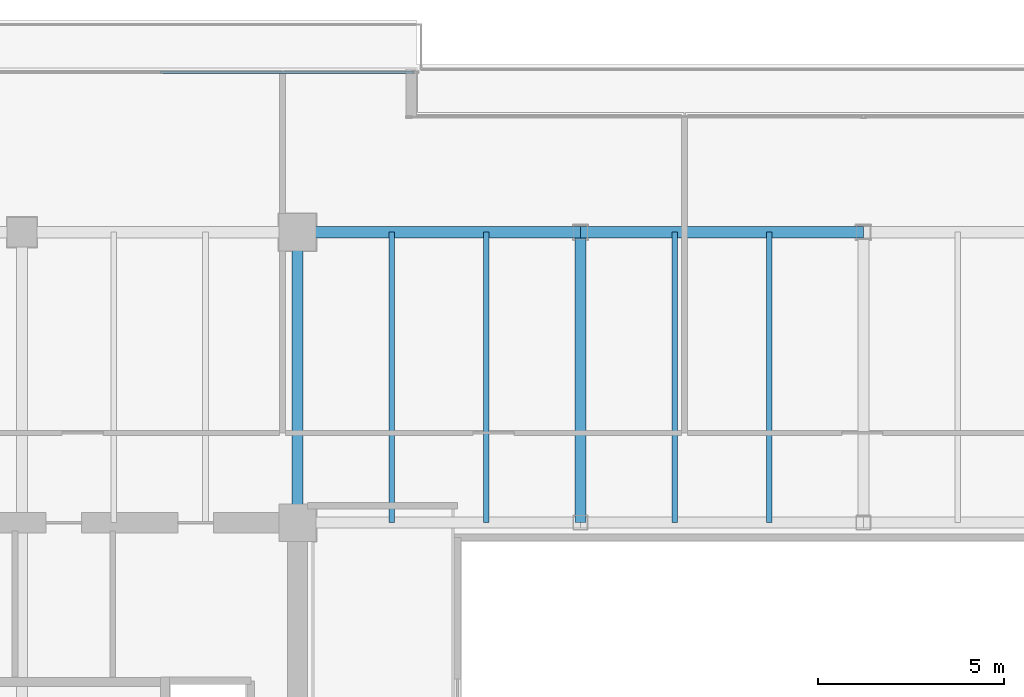
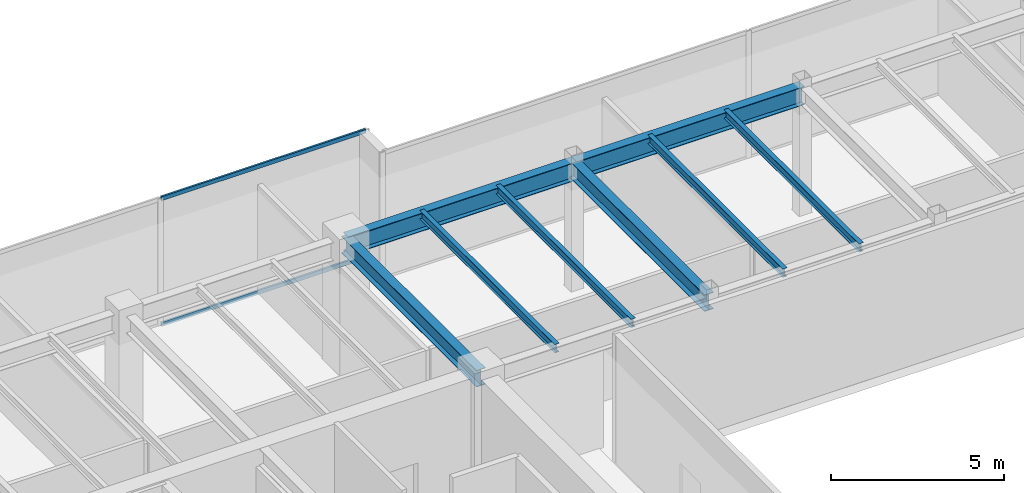
# One storey, part 16 of 37: 8 beams, 2 members, 1 element without a shape of its own.
"""IFC4 building model written with IfcOpenShell, lengths in metres."""

from ifc_helpers import new_model, si_unit, direction, frame, origin, origin_2d, place, context, subcontext, project, spatial, hollow_rectangle, i_section, extrude, source, transform, mapped, material, layer, layer_set, material_profile, profile_set, type_object, type_shapes, element, aggregate, save


model = new_model("IFC4")

# Units and contexts
model_context = context("Model", 3, precision=1e-05, world=origin(), true_north=direction((0.0, 1.0)))
body_context = subcontext(model_context, "Body", "Model", "MODEL_VIEW")
ifc_project = project(units=[si_unit("LENGTHUNIT", "METRE"), si_unit("AREAUNIT", "SQUARE_METRE"), si_unit("VOLUMEUNIT", "CUBIC_METRE"), si_unit("PLANEANGLEUNIT", "RADIAN"), si_unit("MASSUNIT", "GRAM", prefix="KILO")], contexts=[model_context])

# Site, building, storey
site_placement = place(None, origin())
site = spatial("IfcSite", under=ifc_project, at=site_placement, CompositionType="ELEMENT")
building_placement = place(site_placement, origin())
building = spatial("IfcBuilding", under=site, at=building_placement, Name="Haelvirn Gate Laboratories", CompositionType="ELEMENT")
storey_placement = place(building_placement, frame((0.0, 0.0, 196.60009765625)))
storey = spatial("IfcBuildingStorey", under=building, at=storey_placement, Name="L47", CompositionType="ELEMENT", Elevation=196.60009765625)

# Beams
ifc_material_1 = material(Name="Steel SM355", Category="steel")
ifc_material_profile_1 = material_profile(ifc_material_1, i_section(OverallWidth=0.14990234375, OverallDepth=0.300048828125, WebThickness=0.006591796875, FlangeThickness=0.009033203125, at=origin_2d()), Name="H-300x150x6.5x9")
ifc_profile_set_1 = profile_set([ifc_material_profile_1], Name="Steel SM355")
beam_type_1 = type_object("IfcBeamType", Name="BM-J-300", PredefinedType="JOIST", material=ifc_profile_set_1)
shared_shape_1 = source(origin(), body_context, "Body", "SweptSolid", [
    extrude(i_section(OverallWidth=0.14990234375, OverallDepth=0.300048828125, WebThickness=0.006591796875, FlangeThickness=0.009033203125, at=origin_2d()), origin(), (0.0, 0.0, 1.0), 7.800048828125),
])
type_shapes(beam_type_1, [shared_shape_1])
for number, where, z_axis, x_axis, name in (
    (1, (24.72998046875, 33.800048828125, 4.349853515625), (0.0, 1.0, 0.0), (-1.0, 0.0, 0.0), "L47 Composite Lab Joist North X24.73"),
    (2, (27.27001953125, 33.800048828125, 4.349853515625), (0.0, 1.0, 0.0), (-1.0, 0.0, 0.0), "L47 Composite Lab Joist North X27.27"),
    (3, (32.330078125, 33.800048828125, 4.349853515625), (0.0, 1.0, 0.0), (-1.0, 0.0, 0.0), "L47 Composite Lab Joist North X32.33"),
    (4, (34.8701171875, 33.800048828125, 4.349853515625), (0.0, 1.0, 0.0), (-1.0, 0.0, 0.0), "L47 Composite Lab Joist North X34.87"),
):
    element("IfcBeam", number, at=place(storey_placement, frame(where, z_axis=z_axis, x_axis=x_axis)), inside=storey, type_object=beam_type_1, Name=name, PredefinedType="JOIST", context=body_context, shape_type="MappedRepresentation", body=[
        mapped(shared_shape_1, transform((0.0, 0.0, 0.0), scale=1.0)),
    ])
ifc_material_profile_2 = material_profile(ifc_material_1, i_section(OverallWidth=0.300048828125, OverallDepth=0.587890625, WebThickness=0.011962890625, FlangeThickness=0.02001953125, at=origin_2d()), Name="H-588x300x12x20")
ifc_profile_set_2 = profile_set([ifc_material_profile_2], Name="Steel SM355")
beam_type_2 = type_object("IfcBeamType", Name="BM-G-588", PredefinedType="BEAM", material=ifc_profile_set_2)
shared_shape_2 = source(origin(), body_context, "Body", "SweptSolid", [
    extrude(i_section(OverallWidth=0.300048828125, OverallDepth=0.587890625, WebThickness=0.011962890625, FlangeThickness=0.02001953125, at=origin_2d()), origin(), (0.0, 0.0, 1.0), 7.800048828125),
])
type_shapes(beam_type_2, [shared_shape_2])
for number, where, z_axis, x_axis, name in (
    (5, (22.199951171875, 33.800048828125, 4.205810546875), (0.0, 1.0, 0.0), (-1.0, 0.0, 0.0), "L47 Frame Girder X22.2 (33.8-41.6)"),
    (6, (29.800048828125, 33.800048828125, 4.205810546875), (0.0, 1.0, 0.0), (-1.0, 0.0, 0.0), "L47 Frame Girder X29.8 (33.8-41.6)"),
):
    element("IfcBeam", number, at=place(storey_placement, frame(where, z_axis=z_axis, x_axis=x_axis)), inside=storey, type_object=beam_type_2, Name=name, PredefinedType="BEAM", context=body_context, shape_type="MappedRepresentation", body=[
        mapped(shared_shape_2, transform((0.0, 0.0, 0.0), scale=1.0)),
    ])
ifc_material_profile_3 = material_profile(ifc_material_1, i_section(OverallWidth=0.300048828125, OverallDepth=0.64990234375, WebThickness=0.012939453125, FlangeThickness=0.02197265625, at=origin_2d()), Name="H-650x300x13x22")
ifc_profile_set_3 = profile_set([ifc_material_profile_3], Name="Steel SM355")
beam_type_3 = type_object("IfcBeamType", Name="BM-G-650", PredefinedType="BEAM", material=ifc_profile_set_3)
shared_shape_3 = source(origin(), body_context, "Body", "SweptSolid", [
    extrude(i_section(OverallWidth=0.300048828125, OverallDepth=0.64990234375, WebThickness=0.012939453125, FlangeThickness=0.02197265625, at=origin_2d()), origin(), (0.0, 0.0, 1.0), 7.60009765625),
])
beam_1_placement = place(storey_placement, frame((22.199951171875, 41.60009765625, 4.1748046875), z_axis=(1.0, 0.0, 0.0), x_axis=(0.0, 1.0, 0.0)))
element("IfcBeam", 7, at=beam_1_placement, inside=storey, type_object=beam_type_3, Name="L47 Primary Girder Y41.6 (22.2-29.8)", PredefinedType="BEAM", context=body_context, shape_type="MappedRepresentation", body=[
    mapped(shared_shape_3, transform((0.0, 0.0, 0.0), scale=1.0)),
])
shared_shape_4 = source(origin(), body_context, "Body", "SweptSolid", [
    extrude(i_section(OverallWidth=0.300048828125, OverallDepth=0.64990234375, WebThickness=0.012939453125, FlangeThickness=0.02197265625, at=origin_2d()), origin(), (0.0, 0.0, 1.0), 7.599853515625),
])
type_shapes(beam_type_3, [shared_shape_3, shared_shape_4])
beam_2_placement = place(storey_placement, frame((29.800048828125, 41.60009765625, 4.1748046875), z_axis=(1.0, 0.0, 0.0), x_axis=(0.0, 1.0, 0.0)))
element("IfcBeam", 8, at=beam_2_placement, inside=storey, type_object=beam_type_3, Name="L47 Primary Girder Y41.6 (29.8-37.4)", PredefinedType="BEAM", context=body_context, shape_type="MappedRepresentation", body=[
    mapped(shared_shape_4, transform((0.0, 0.0, 0.0), scale=1.0)),
])

# Curtain wall, members
ifc_material_2 = material(Name="Anodised bronze unitised aluminium & triple low-E glass", Category="aluminium")
ifc_layer = layer(ifc_material_2, 0.176025390625, Name="CW-SYS-4")
ifc_layer_set = layer_set([ifc_layer], Name="Anodised bronze unitised aluminium & triple low-E glass")
curtain_wall_type = type_object("IfcCurtainWallType", Name="CW-SYS-4", PredefinedType="NOTDEFINED", material=ifc_layer_set)
curtain_wall_placement = place(storey_placement, origin())
curtain_wall = element("IfcCurtainWall", 9, at=curtain_wall_placement, inside=storey, type_object=curtain_wall_type, Name="L47 Unitised Curtain Wall CW-L47-P0-E14-1", PredefinedType="NOTDEFINED")
ifc_material_3 = material(Name="Extruded aluminium 6063-T6 (anodised bronze)", Category="aluminium")
ifc_material_profile_4 = material_profile(ifc_material_3, hollow_rectangle(XDim=0.06494140625, YDim=0.139892578125, WallThickness=0.00390625, at=origin_2d()), Name="CWT-140x65x4")
ifc_profile_set_4 = profile_set([ifc_material_profile_4], Name="Extruded aluminium 6063-T6 (anodised bronze)")
member_type = type_object("IfcMemberType", Name="CWT-T140", PredefinedType="USERDEFINED", material=ifc_profile_set_4)
shared_shape_5 = source(origin(), body_context, "Body", "SweptSolid", [
    extrude(hollow_rectangle(XDim=0.06494140625, YDim=0.139892578125, WallThickness=0.00390625, at=origin_2d()), origin(), (0.0, 0.0, 1.0), 6.8076171875),
])
type_shapes(member_type, [shared_shape_5])
member_1_placement = place(storey_placement, frame((18.5224609375, 45.89990234375, 0.032470703125), z_axis=(1.0, 0.0, 0.0), x_axis=(0.0, 1.0, 0.0)))
member_1 = element("IfcMember", 10, at=member_1_placement, type_object=member_type, Name="CW4 transom 2.1", ObjectType="TRANSOM", PredefinedType="USERDEFINED", context=body_context, shape_type="MappedRepresentation", body=[
    mapped(shared_shape_5, transform((0.0, 0.0, 0.0), scale=1.0)),
])
member_2_placement = place(storey_placement, frame((18.5224609375, 45.89990234375, 4.46728515625), z_axis=(1.0, 0.0, 0.0), x_axis=(0.0, 1.0, 0.0)))
member_2 = element("IfcMember", 11, at=member_2_placement, type_object=member_type, Name="CW4 transom 2.2", ObjectType="TRANSOM", PredefinedType="USERDEFINED", context=body_context, shape_type="MappedRepresentation", body=[
    mapped(shared_shape_5, transform((0.0, 0.0, 0.0), scale=1.0)),
])
aggregate(curtain_wall, [member_1, member_2])

save(model, "model.ifc")
